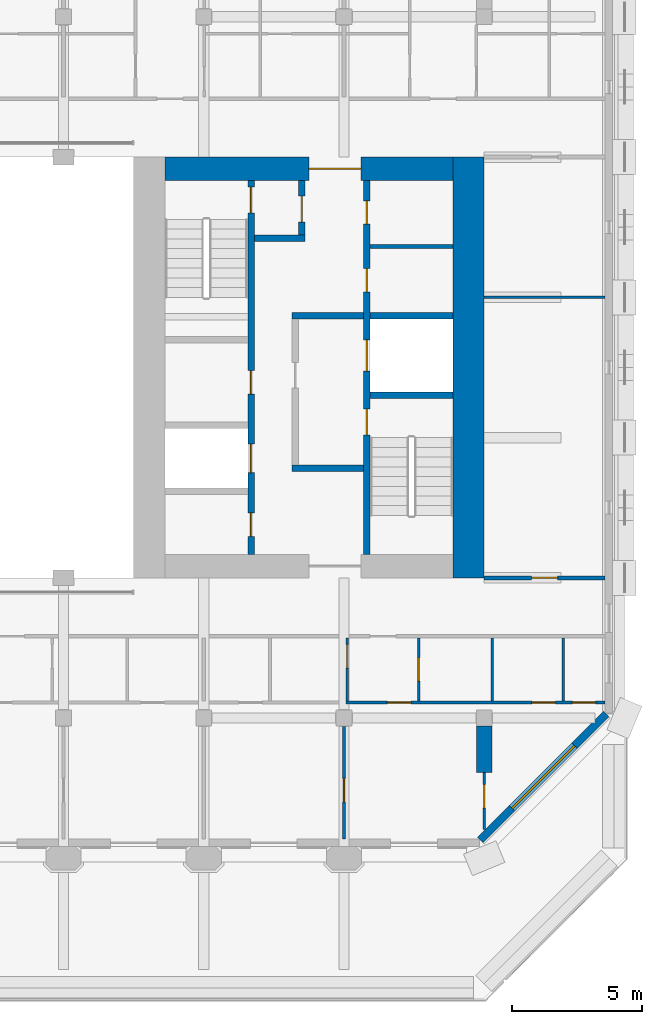
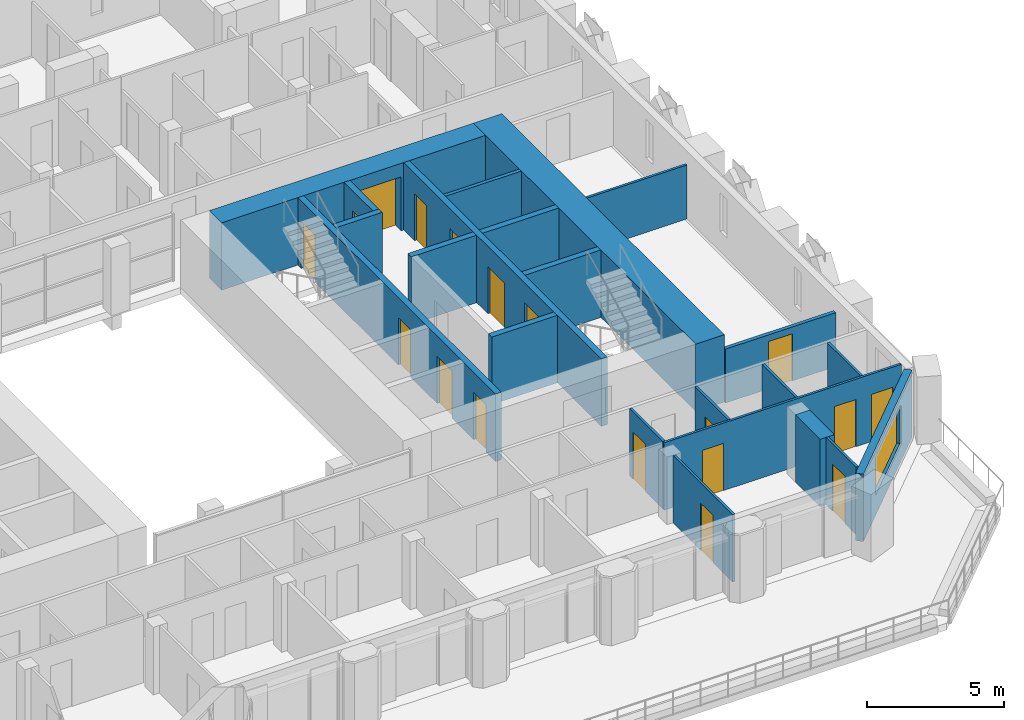
# One storey, part 10 of 17: 22 walls, 18 doors, 1 window, 19 openings.
"""IFC4 building model written with IfcOpenShell, lengths in metres."""

from ifc_helpers import new_model, si_unit, direction, frame, frame_2d, origin, place, context, subcontext, project, spatial, rectangle, extrude, material, layer, layer_set, type_object, element, fill, save


model = new_model("IFC4")

# Units and contexts
model_context = context("Model", 3, precision=1e-05, world=origin(), true_north=direction((0.0, 1.0)))
body_context = subcontext(model_context, "Body", "Model", "MODEL_VIEW")
ifc_project = project(units=[si_unit("LENGTHUNIT", "METRE"), si_unit("AREAUNIT", "SQUARE_METRE"), si_unit("VOLUMEUNIT", "CUBIC_METRE"), si_unit("PLANEANGLEUNIT", "RADIAN"), si_unit("MASSUNIT", "GRAM", prefix="KILO")], contexts=[model_context])

# Site, building, storey
site_placement = place(None, origin())
site = spatial("IfcSite", under=ifc_project, at=site_placement, CompositionType="ELEMENT")
building_placement = place(site_placement, origin())
building = spatial("IfcBuilding", under=site, at=building_placement, Name="Tabaq Tower and Sports Hall", CompositionType="ELEMENT")
storey_placement = place(building_placement, frame((0.0, 0.0, 288.39990234375)))
storey = spatial("IfcBuildingStorey", under=building, at=storey_placement, Name="L71", CompositionType="ELEMENT", Elevation=288.39990234375)

# Walls
ifc_material_1 = material(Name="Blockwork", Category="masonry")
ifc_layer_1 = layer(ifc_material_1, 0.14990234375)
ifc_layer_set_1 = layer_set([ifc_layer_1], Name="Core room partition 150 Blockwork")
wall_type_1 = type_object("IfcWallType", Name="Core room partition 150 Blockwork", PredefinedType="PARTITIONING", material=ifc_layer_set_1)
wall_1_placement = place(storey_placement, frame((38.800048828125, 28.962890625, 0.0), z_axis=(0.0, 0.0, 1.0), x_axis=(1.0, 0.0, 0.0)))
element("IfcWall", 1, at=wall_1_placement, inside=storey, type_object=wall_type_1, Name="Core room partition E L71", PredefinedType="PARTITIONING", context=body_context, shape_type="SweptSolid", body=[
    extrude(rectangle(XDim=3.199951171875, YDim=0.14990234375, at=frame_2d((1.60009765625, 0.0))), origin(), (0.0, 0.0, 1.0), 3.0),
])
ifc_material_2 = material(Name="Concrete C40/50", Category="concrete")
ifc_layer_2 = layer(ifc_material_2, 1.199951171875)
ifc_layer_set_2 = layer_set([ifc_layer_2], Name="Core wall 1200 Concrete C40/50")
wall_type_2 = type_object("IfcWallType", Name="Core wall 1200 Concrete C40/50", PredefinedType="SOLIDWALL", material=ifc_layer_set_2)
wall_2_placement = place(storey_placement, frame((42.60009765625, 32.39990234375, 0.0), z_axis=(0.0, 0.0, 1.0), x_axis=(0.0, -1.0, 0.0)))
element("IfcWall", 2, at=wall_2_placement, inside=storey, type_object=wall_type_2, Name="Core wall E L71", PredefinedType="SOLIDWALL", context=body_context, shape_type="SweptSolid", body=[
    extrude(rectangle(XDim=16.199951171875, YDim=1.199951171875, at=frame_2d((8.10009765625, 0.0))), origin(), (0.0, 0.0, 1.0), 3.0),
])

# Wall, opening, door
ifc_material_3 = material(Name="Concrete C40/50", Category="concrete")
ifc_layer_3 = layer(ifc_material_3, 0.89990234375)
ifc_layer_set_3 = layer_set([ifc_layer_3], Name="Core wall 900 Concrete C40/50")
wall_type_3 = type_object("IfcWallType", Name="Core wall 900 Concrete C40/50", PredefinedType="SOLIDWALL", material=ifc_layer_set_3)
wall_3_placement = place(storey_placement, frame((30.89990234375, 31.949951171875, 0.0), z_axis=(0.0, 0.0, 1.0), x_axis=(1.0, 0.0, 0.0)))
wall_3 = element("IfcWall", 3, at=wall_3_placement, inside=storey, type_object=wall_type_3, Name="Core wall E L71", PredefinedType="SOLIDWALL", context=body_context, shape_type="SweptSolid", body=[
    extrude(rectangle(XDim=11.10009765625, YDim=0.89990234375, at=frame_2d((5.550048828125, 0.0))), origin(), (0.0, 0.0, 1.0), 3.0),
])
opening_1_placement = place(wall_3_placement, frame((5.550048828125, 0.0, 0.0)))
opening_1 = element("IfcOpeningElement", 4, at=opening_1_placement, cuts=wall_3, Name="Opening PD-EL71-02", PredefinedType="OPENING", context=body_context, shape_type="SweptSolid", body=[
    extrude(rectangle(XDim=2.0, YDim=2.39990234375, at=frame_2d((1.0, 1.199951171875))), frame((0.0, 0.449951171875, 0.0), z_axis=(0.0, -1.0, 0.0), x_axis=(1.0, 0.0, 0.0)), (0.0, 0.0, 1.0), 0.89990234375),
])
ifc_material_4 = material(Name="Steel fire door", Category="steel")
door_type_1 = type_object("IfcDoorType", Name="Core entrance door 2000", OperationType="DOUBLE_DOOR_SINGLE_SWING", PredefinedType="DOOR", material=ifc_material_4)
door_1_placement = place(opening_1_placement, origin())
door_1 = element("IfcDoor", 5, at=door_1_placement, inside=storey, type_object=door_type_1, Name="Core entrance north E L71", OperationType="DOUBLE_DOOR_SINGLE_SWING", OverallHeight=2.39990234375, OverallWidth=2.0, PredefinedType="DOOR", context=body_context, shape_type="SweptSolid", body=[
    extrude(rectangle(XDim=2.0, YDim=2.39990234375, at=frame_2d((1.0, 1.199951171875))), frame((0.0, 0.02490234375, 0.0), z_axis=(0.0, -1.0, 0.0), x_axis=(1.0, 0.0, 0.0)), (0.0, 0.0, 1.0), 0.050048828125),
])
fill(opening_1, door_1)

# Wall
ifc_material_5 = material(Name="Gypsum board on steel studs", Category="steel")
ifc_layer_4 = layer(ifc_material_5, 0.10009765625)
ifc_layer_set_4 = layer_set([ifc_layer_4], Name="Partition 100 Gypsum board")
wall_type_4 = type_object("IfcWallType", Name="Partition 100 Gypsum board", PredefinedType="PARTITIONING", material=ifc_layer_set_4)
wall_4_placement = place(storey_placement, frame((43.199951171875, 27.0, 0.0), z_axis=(0.0, 0.0, 1.0), x_axis=(1.0, 0.0, 0.0)))
element("IfcWall", 6, at=wall_4_placement, inside=storey, type_object=wall_type_4, Name="Partition wall L71", PredefinedType="PARTITIONING", context=body_context, shape_type="SweptSolid", body=[
    extrude(rectangle(XDim=4.649169921875, YDim=0.10009765625, at=frame_2d((2.32470703125, 0.0))), origin(), (0.0, 0.0, 1.0), 2.400146484375),
])

# Wall, opening, door
wall_5_placement = place(storey_placement, frame((37.800048828125, 6.15087890625, 0.0), z_axis=(0.0, 0.0, 1.0), x_axis=(0.0, 1.0, 0.0)))
wall_5 = element("IfcWall", 7, at=wall_5_placement, inside=storey, type_object=wall_type_4, Name="Partition wall L71", PredefinedType="PARTITIONING", context=body_context, shape_type="SweptSolid", body=[
    extrude(rectangle(XDim=4.3291015625, YDim=0.10009765625, at=frame_2d((2.16455078125, 0.0))), origin(), (0.0, 0.0, 1.0), 3.0),
])
opening_2_placement = place(wall_5_placement, frame((1.424072265625, 0.0, 0.0)))
opening_2 = element("IfcOpeningElement", 8, at=opening_2_placement, cuts=wall_5, Name="Opening L71-051", PredefinedType="OPENING", context=body_context, shape_type="SweptSolid", body=[
    extrude(rectangle(XDim=0.89990234375, YDim=2.10009765625, at=frame_2d((0.449951171875, 1.050048828125))), frame((0.0, 0.050048828125, 0.0), z_axis=(0.0, -1.0, 0.0), x_axis=(1.0, 0.0, 0.0)), (0.0, 0.0, 1.0), 0.10009765625),
])
ifc_material_6 = material(Name="Timber leaf in steel frame", Category="steel")
door_type_2 = type_object("IfcDoorType", Name="Internal door 900 left hand", OperationType="SINGLE_SWING_LEFT", PredefinedType="DOOR", material=ifc_material_6)
door_2_placement = place(opening_2_placement, origin())
door_2 = element("IfcDoor", 9, at=door_2_placement, inside=storey, type_object=door_type_2, Name="Internal door L71-051", OperationType="SINGLE_SWING_LEFT", OverallHeight=2.10009765625, OverallWidth=0.89990234375, PredefinedType="DOOR", context=body_context, shape_type="SweptSolid", body=[
    extrude(rectangle(XDim=0.89990234375, YDim=2.10009765625, at=frame_2d((0.449951171875, 1.050048828125))), frame((0.0, 0.02490234375, 0.0), z_axis=(0.0, -1.0, 0.0), x_axis=(1.0, 0.0, 0.0)), (0.0, 0.0, 1.0), 0.050048828125),
])
fill(opening_2, door_2)

# Wall, openings, doors
wall_6_placement = place(storey_placement, frame((47.84912109375, 11.39990234375, 0.0), z_axis=(0.0, 0.0, 1.0), x_axis=(-1.0, 0.0, 0.0)))
wall_6 = element("IfcWall", 10, at=wall_6_placement, inside=storey, type_object=wall_type_4, Name="Partition wall L71", PredefinedType="PARTITIONING", context=body_context, shape_type="SweptSolid", body=[
    extrude(rectangle(XDim=9.97412109375, YDim=0.10009765625, at=frame_2d((4.987060546875, 0.0))), origin(), (0.0, 0.0, 1.0), 3.0),
])
opening_3_placement = place(wall_6_placement, frame((1.908935546875, 0.0, 0.0)))
opening_3 = element("IfcOpeningElement", 11, at=opening_3_placement, cuts=wall_6, Name="Opening L71-026", PredefinedType="OPENING", context=body_context, shape_type="SweptSolid", body=[
    extrude(rectangle(XDim=0.89990234375, YDim=2.10009765625, at=frame_2d((0.449951171875, 1.050048828125))), frame((0.0, 0.050048828125, 0.0), z_axis=(0.0, -1.0, 0.0), x_axis=(1.0, 0.0, 0.0)), (0.0, 0.0, 1.0), 0.10009765625),
])
opening_4_placement = place(wall_6_placement, frame((0.35400390625, 0.0, 0.0)))
opening_4 = element("IfcOpeningElement", 12, at=opening_4_placement, cuts=wall_6, Name="Opening L71-027", PredefinedType="OPENING", context=body_context, shape_type="SweptSolid", body=[
    extrude(rectangle(XDim=0.89990234375, YDim=2.10009765625, at=frame_2d((0.449951171875, 1.050048828125))), frame((0.0, 0.050048828125, 0.0), z_axis=(0.0, -1.0, 0.0), x_axis=(1.0, 0.0, 0.0)), (0.0, 0.0, 1.0), 0.10009765625),
])
opening_5_placement = place(wall_6_placement, frame((7.47412109375, 0.0, 0.0)))
opening_5 = element("IfcOpeningElement", 13, at=opening_5_placement, cuts=wall_6, Name="Opening L71-062", PredefinedType="OPENING", context=body_context, shape_type="SweptSolid", body=[
    extrude(rectangle(XDim=0.89990234375, YDim=2.10009765625, at=frame_2d((0.449951171875, 1.050048828125))), frame((0.0, 0.050048828125, 0.0), z_axis=(0.0, -1.0, 0.0), x_axis=(1.0, 0.0, 0.0)), (0.0, 0.0, 1.0), 0.10009765625),
])
door_3_placement = place(opening_3_placement, origin())
door_3 = element("IfcDoor", 14, at=door_3_placement, inside=storey, type_object=door_type_2, Name="Internal door L71-026", OperationType="SINGLE_SWING_LEFT", OverallHeight=2.10009765625, OverallWidth=0.89990234375, PredefinedType="DOOR", context=body_context, shape_type="SweptSolid", body=[
    extrude(rectangle(XDim=0.89990234375, YDim=2.10009765625, at=frame_2d((0.449951171875, 1.050048828125))), frame((0.0, 0.02490234375, 0.0), z_axis=(0.0, -1.0, 0.0), x_axis=(1.0, 0.0, 0.0)), (0.0, 0.0, 1.0), 0.050048828125),
])
fill(opening_3, door_3)
ifc_material_7 = material(Name="Timber leaf in steel frame", Category="steel")
door_type_3 = type_object("IfcDoorType", Name="Internal door 900 right hand", OperationType="SINGLE_SWING_RIGHT", PredefinedType="DOOR", material=ifc_material_7)
door_4_placement = place(opening_4_placement, origin())
door_4 = element("IfcDoor", 15, at=door_4_placement, inside=storey, type_object=door_type_3, Name="Internal door L71-027", OperationType="SINGLE_SWING_RIGHT", OverallHeight=2.10009765625, OverallWidth=0.89990234375, PredefinedType="DOOR", context=body_context, shape_type="SweptSolid", body=[
    extrude(rectangle(XDim=0.89990234375, YDim=2.10009765625, at=frame_2d((0.449951171875, 1.050048828125))), frame((0.0, 0.02490234375, 0.0), z_axis=(0.0, -1.0, 0.0), x_axis=(1.0, 0.0, 0.0)), (0.0, 0.0, 1.0), 0.050048828125),
])
fill(opening_4, door_4)
door_5_placement = place(opening_5_placement, origin())
door_5 = element("IfcDoor", 16, at=door_5_placement, inside=storey, type_object=door_type_3, Name="Internal door L71-062", OperationType="SINGLE_SWING_RIGHT", OverallHeight=2.10009765625, OverallWidth=0.89990234375, PredefinedType="DOOR", context=body_context, shape_type="SweptSolid", body=[
    extrude(rectangle(XDim=0.89990234375, YDim=2.10009765625, at=frame_2d((0.449951171875, 1.050048828125))), frame((0.0, 0.02490234375, 0.0), z_axis=(0.0, -1.0, 0.0), x_axis=(1.0, 0.0, 0.0)), (0.0, 0.0, 1.0), 0.050048828125),
])
fill(opening_5, door_5)

# Wall, opening, door
wall_7_placement = place(storey_placement, frame((43.199951171875, 6.51220703125, 0.0), z_axis=(0.0, 0.0, 1.0), x_axis=(0.0, 1.0, 0.0)))
wall_7 = element("IfcWall", 17, at=wall_7_placement, inside=storey, type_object=wall_type_4, Name="Partition wall L71", PredefinedType="PARTITIONING", context=body_context, shape_type="SweptSolid", body=[
    extrude(rectangle(XDim=2.187744140625, YDim=0.10009765625, at=frame_2d((1.09375, 0.0))), origin(), (0.0, 0.0, 1.0), 3.0),
])
opening_6_placement = place(wall_7_placement, frame((0.822021484375, 0.0, 0.0)))
opening_6 = element("IfcOpeningElement", 18, at=opening_6_placement, cuts=wall_7, Name="Opening L71-057", PredefinedType="OPENING", context=body_context, shape_type="SweptSolid", body=[
    extrude(rectangle(XDim=0.89990234375, YDim=2.10009765625, at=frame_2d((0.449951171875, 1.050048828125))), frame((0.0, 0.050048828125, 0.0), z_axis=(0.0, -1.0, 0.0), x_axis=(1.0, 0.0, 0.0)), (0.0, 0.0, 1.0), 0.10009765625),
])
door_6_placement = place(opening_6_placement, origin())
door_6 = element("IfcDoor", 19, at=door_6_placement, inside=storey, type_object=door_type_3, Name="Internal door L71-057", OperationType="SINGLE_SWING_RIGHT", OverallHeight=2.10009765625, OverallWidth=0.89990234375, PredefinedType="DOOR", context=body_context, shape_type="SweptSolid", body=[
    extrude(rectangle(XDim=0.89990234375, YDim=2.10009765625, at=frame_2d((0.449951171875, 1.050048828125))), frame((0.0, 0.02490234375, 0.0), z_axis=(0.0, -1.0, 0.0), x_axis=(1.0, 0.0, 0.0)), (0.0, 0.0, 1.0), 0.050048828125),
])
fill(opening_6, door_6)

wall_8_placement = place(storey_placement, frame((37.925048828125, 11.449951171875, 0.0), z_axis=(0.0, 0.0, 1.0), x_axis=(0.0, 1.0, 0.0)))
wall_8 = element("IfcWall", 20, at=wall_8_placement, inside=storey, type_object=wall_type_4, Name="Partition wall L71", PredefinedType="PARTITIONING", context=body_context, shape_type="SweptSolid", body=[
    extrude(rectangle(XDim=2.425048828125, YDim=0.10009765625, at=frame_2d((1.21240234375, 0.0))), origin(), (0.0, 0.0, 1.0), 3.0),
])
opening_7_placement = place(wall_8_placement, frame((1.27490234375, 0.0, 0.0)))
opening_7 = element("IfcOpeningElement", 21, at=opening_7_placement, cuts=wall_8, Name="Opening L71-028", PredefinedType="OPENING", context=body_context, shape_type="SweptSolid", body=[
    extrude(rectangle(XDim=0.89990234375, YDim=2.10009765625, at=frame_2d((0.449951171875, 1.050048828125))), frame((0.0, 0.050048828125, 0.0), z_axis=(0.0, -1.0, 0.0), x_axis=(1.0, 0.0, 0.0)), (0.0, 0.0, 1.0), 0.10009765625),
])
door_7_placement = place(opening_7_placement, origin())
door_7 = element("IfcDoor", 22, at=door_7_placement, inside=storey, type_object=door_type_3, Name="Internal door L71-028", OperationType="SINGLE_SWING_RIGHT", OverallHeight=2.10009765625, OverallWidth=0.89990234375, PredefinedType="DOOR", context=body_context, shape_type="SweptSolid", body=[
    extrude(rectangle(XDim=0.89990234375, YDim=2.10009765625, at=frame_2d((0.449951171875, 1.050048828125))), frame((0.0, 0.02490234375, 0.0), z_axis=(0.0, -1.0, 0.0), x_axis=(1.0, 0.0, 0.0)), (0.0, 0.0, 1.0), 0.050048828125),
])
fill(opening_7, door_7)

wall_9_placement = place(storey_placement, frame((40.675048828125, 11.449951171875, 0.0), z_axis=(0.0, 0.0, 1.0), x_axis=(0.0, 1.0, 0.0)))
wall_9 = element("IfcWall", 23, at=wall_9_placement, inside=storey, type_object=wall_type_4, Name="Partition wall L71", PredefinedType="PARTITIONING", context=body_context, shape_type="SweptSolid", body=[
    extrude(rectangle(XDim=2.425048828125, YDim=0.10009765625, at=frame_2d((1.21240234375, 0.0))), origin(), (0.0, 0.0, 1.0), 3.0),
])
opening_8_placement = place(wall_9_placement, frame((0.77490234375, 0.0, 0.0)))
opening_8 = element("IfcOpeningElement", 24, at=opening_8_placement, cuts=wall_9, Name="Opening L71-029", PredefinedType="OPENING", context=body_context, shape_type="SweptSolid", body=[
    extrude(rectangle(XDim=0.89990234375, YDim=2.10009765625, at=frame_2d((0.449951171875, 1.050048828125))), frame((0.0, 0.050048828125, 0.0), z_axis=(0.0, -1.0, 0.0), x_axis=(1.0, 0.0, 0.0)), (0.0, 0.0, 1.0), 0.10009765625),
])
door_8_placement = place(opening_8_placement, origin())
door_8 = element("IfcDoor", 25, at=door_8_placement, inside=storey, type_object=door_type_2, Name="Internal door L71-029", OperationType="SINGLE_SWING_LEFT", OverallHeight=2.10009765625, OverallWidth=0.89990234375, PredefinedType="DOOR", context=body_context, shape_type="SweptSolid", body=[
    extrude(rectangle(XDim=0.89990234375, YDim=2.10009765625, at=frame_2d((0.449951171875, 1.050048828125))), frame((0.0, 0.02490234375, 0.0), z_axis=(0.0, -1.0, 0.0), x_axis=(1.0, 0.0, 0.0)), (0.0, 0.0, 1.0), 0.050048828125),
])
fill(opening_8, door_8)

# Walls
for number, where, z_axis, x_axis, name in (
    (26, (43.5048828125, 11.449951171875, 0.0), (0.0, 0.0, 1.0), (0.0, 1.0, 0.0), "Partition wall L71"),
    (27, (46.239990234375, 11.449951171875, 0.0), (0.0, 0.0, 1.0), (0.0, 1.0, 0.0), "Partition wall L71"),
):
    element("IfcWall", number, at=place(storey_placement, frame(where, z_axis=z_axis, x_axis=x_axis)), inside=storey, type_object=wall_type_4, Name=name, PredefinedType="PARTITIONING", context=body_context, shape_type="SweptSolid", body=[
        extrude(rectangle(XDim=2.425048828125, YDim=0.10009765625, at=frame_2d((1.21240234375, 0.0))), origin(), (0.0, 0.0, 1.0), 3.0),
    ])
ifc_material_8 = material(Name="Concrete C40/50", Category="concrete")
ifc_layer_5 = layer(ifc_material_8, 0.60009765625)
ifc_layer_set_5 = layer_set([ifc_layer_5], Name="RC TRANSFER WALL 600 C40/50")
wall_type_5 = type_object("IfcWallType", Name="RC TRANSFER WALL 600 C40/50", PredefinedType="SHEAR", material=ifc_layer_set_5)
wall_10_placement = place(storey_placement, frame((43.199951171875, 8.699951171875, 0.0), z_axis=(0.0, 0.0, 1.0), x_axis=(0.0, 1.0, 0.0)))
element("IfcWall", 28, at=wall_10_placement, inside=storey, type_object=wall_type_5, Name="Transfer Wall L71 East 2", PredefinedType="SHEAR", context=body_context, shape_type="SweptSolid", body=[
    extrude(rectangle(XDim=1.800048828125, YDim=0.60009765625, at=frame_2d((0.89990234375, 0.0))), origin(), (0.0, 0.0, 1.0), 3.0),
])

# Wall, opening, door
ifc_material_9 = material(Name="Blockwork", Category="masonry")
ifc_layer_6 = layer(ifc_material_9, 0.14990234375)
ifc_layer_set_6 = layer_set([ifc_layer_6], Name="Separating wall 150 Blockwork")
wall_type_6 = type_object("IfcWallType", Name="Separating wall 150 Blockwork", PredefinedType="PARTITIONING", material=ifc_layer_set_6)
wall_11_placement = place(storey_placement, frame((43.199951171875, 16.199951171875, 0.0), z_axis=(0.0, 0.0, 1.0), x_axis=(1.0, 0.0, 0.0)))
wall_11 = element("IfcWall", 29, at=wall_11_placement, inside=storey, type_object=wall_type_6, Name="Separating wall L71", PredefinedType="PARTITIONING", context=body_context, shape_type="SweptSolid", body=[
    extrude(rectangle(XDim=4.649169921875, YDim=0.14990234375, at=frame_2d((2.32470703125, 0.0))), origin(), (0.0, 0.0, 1.0), 2.400146484375),
])
opening_9_placement = place(wall_11_placement, frame((1.824951171875, 0.0, 0.0)))
opening_9 = element("IfcOpeningElement", 30, at=opening_9_placement, cuts=wall_11, Name="Opening L71-030", PredefinedType="OPENING", context=body_context, shape_type="SweptSolid", body=[
    extrude(rectangle(XDim=1.0, YDim=2.10009765625, at=frame_2d((0.5, 1.050048828125))), frame((0.0, 0.074951171875, 0.0), z_axis=(0.0, -1.0, 0.0), x_axis=(1.0, 0.0, 0.0)), (0.0, 0.0, 1.0), 0.14990234375),
])
ifc_material_10 = material(Name="Timber leaf in steel frame", Category="steel")
door_type_4 = type_object("IfcDoorType", Name="Internal door 1000 left hand", OperationType="SINGLE_SWING_LEFT", PredefinedType="DOOR", material=ifc_material_10)
door_9_placement = place(opening_9_placement, origin())
door_9 = element("IfcDoor", 31, at=door_9_placement, inside=storey, type_object=door_type_4, Name="Internal door L71-030", OperationType="SINGLE_SWING_LEFT", OverallHeight=2.10009765625, OverallWidth=1.0, PredefinedType="DOOR", context=body_context, shape_type="SweptSolid", body=[
    extrude(rectangle(XDim=1.0, YDim=2.10009765625, at=frame_2d((0.5, 1.050048828125))), frame((0.0, 0.02490234375, 0.0), z_axis=(0.0, -1.0, 0.0), x_axis=(1.0, 0.0, 0.0)), (0.0, 0.0, 1.0), 0.050048828125),
])
fill(opening_9, door_9)

# Wall, openings, doors
ifc_material_11 = material(Name="Concrete C40/50", Category="concrete")
ifc_layer_7 = layer(ifc_material_11, 0.25)
ifc_layer_set_7 = layer_set([ifc_layer_7], Name="Shaft and stair wall 250 Concrete C40/50")
wall_type_7 = type_object("IfcWallType", Name="Shaft and stair wall 250 Concrete C40/50", PredefinedType="SOLIDWALL", material=ifc_layer_set_7)
wall_12_placement = place(storey_placement, frame((38.675048828125, 17.10009765625, 0.0), z_axis=(0.0, 0.0, 1.0), x_axis=(0.0, 1.0, 0.0)))
wall_12 = element("IfcWall", 32, at=wall_12_placement, inside=storey, type_object=wall_type_7, Name="Shaft wall E L71", PredefinedType="SOLIDWALL", context=body_context, shape_type="SweptSolid", body=[
    extrude(rectangle(XDim=14.39990234375, YDim=0.25, at=frame_2d((7.199951171875, 0.0))), origin(), (0.0, 0.0, 1.0), 3.0),
])
opening_10_placement = place(wall_12_placement, frame((4.60009765625, 0.0, 0.0)))
opening_10 = element("IfcOpeningElement", 33, at=opening_10_placement, cuts=wall_12, Name="Opening SD-EL71-03", PredefinedType="OPENING", context=body_context, shape_type="SweptSolid", body=[
    extrude(rectangle(XDim=1.0, YDim=2.10009765625, at=frame_2d((0.5, 1.050048828125))), frame((0.0, 0.125, 0.0), z_axis=(0.0, -1.0, 0.0), x_axis=(1.0, 0.0, 0.0)), (0.0, 0.0, 1.0), 0.25),
])
opening_11_placement = place(wall_12_placement, frame((7.0625, 0.0, 0.0)))
opening_11 = element("IfcOpeningElement", 34, at=opening_11_placement, cuts=wall_12, Name="Opening LD-FF2-L71", PredefinedType="OPENING", context=body_context, shape_type="SweptSolid", body=[
    extrude(rectangle(XDim=1.199951171875, YDim=2.10009765625, at=frame_2d((0.60009765625, 1.050048828125))), frame((0.0, 0.125, 0.0), z_axis=(0.0, -1.0, 0.0), x_axis=(1.0, 0.0, 0.0)), (0.0, 0.0, 1.0), 0.25),
])
opening_12_placement = place(wall_12_placement, frame((10.1064453125, 0.0, 0.0)))
opening_12 = element("IfcOpeningElement", 35, at=opening_12_placement, cuts=wall_12, Name="Opening RD-EL71-09", PredefinedType="OPENING", context=body_context, shape_type="SweptSolid", body=[
    extrude(rectangle(XDim=0.89990234375, YDim=2.10009765625, at=frame_2d((0.449951171875, 1.050048828125))), frame((0.0, 0.125, 0.0), z_axis=(0.0, -1.0, 0.0), x_axis=(1.0, 0.0, 0.0)), (0.0, 0.0, 1.0), 0.25),
])
opening_13_placement = place(wall_12_placement, frame((12.718994140625, 0.0, 0.0)))
opening_13 = element("IfcOpeningElement", 36, at=opening_13_placement, cuts=wall_12, Name="Opening RD-EL71-10", PredefinedType="OPENING", context=body_context, shape_type="SweptSolid", body=[
    extrude(rectangle(XDim=0.89990234375, YDim=2.10009765625, at=frame_2d((0.449951171875, 1.050048828125))), frame((0.0, 0.125, 0.0), z_axis=(0.0, -1.0, 0.0), x_axis=(1.0, 0.0, 0.0)), (0.0, 0.0, 1.0), 0.25),
])
ifc_material_12 = material(Name="Steel fire door", Category="steel")
door_type_5 = type_object("IfcDoorType", Name="Core room door 900", OperationType="SINGLE_SWING_LEFT", PredefinedType="DOOR", material=ifc_material_12)
door_10_placement = place(opening_12_placement, origin())
door_10 = element("IfcDoor", 37, at=door_10_placement, inside=storey, type_object=door_type_5, Name="Door Electrical Room E L71", OperationType="SINGLE_SWING_LEFT", OverallHeight=2.10009765625, OverallWidth=0.89990234375, PredefinedType="DOOR", context=body_context, shape_type="SweptSolid", body=[
    extrude(rectangle(XDim=0.89990234375, YDim=2.10009765625, at=frame_2d((0.449951171875, 1.050048828125))), frame((0.0, 0.02490234375, 0.0), z_axis=(0.0, -1.0, 0.0), x_axis=(1.0, 0.0, 0.0)), (0.0, 0.0, 1.0), 0.050048828125),
])
fill(opening_12, door_10)
door_11_placement = place(opening_13_placement, origin())
door_11 = element("IfcDoor", 38, at=door_11_placement, inside=storey, type_object=door_type_5, Name="Door Comms Room E L71", OperationType="SINGLE_SWING_LEFT", OverallHeight=2.10009765625, OverallWidth=0.89990234375, PredefinedType="DOOR", context=body_context, shape_type="SweptSolid", body=[
    extrude(rectangle(XDim=0.89990234375, YDim=2.10009765625, at=frame_2d((0.449951171875, 1.050048828125))), frame((0.0, 0.02490234375, 0.0), z_axis=(0.0, -1.0, 0.0), x_axis=(1.0, 0.0, 0.0)), (0.0, 0.0, 1.0), 0.050048828125),
])
fill(opening_13, door_11)
ifc_material_13 = material(Name="Stainless steel", Category="steel")
door_type_6 = type_object("IfcDoorType", Name="Lift landing door 1200", OperationType="DOUBLE_DOOR_SLIDING", PredefinedType="DOOR", material=ifc_material_13)
door_12_placement = place(opening_11_placement, origin())
door_12 = element("IfcDoor", 39, at=door_12_placement, inside=storey, type_object=door_type_6, Name="Lift landing door FF2 E L71", OperationType="DOUBLE_DOOR_SLIDING", OverallHeight=2.10009765625, OverallWidth=1.199951171875, PredefinedType="DOOR", context=body_context, shape_type="SweptSolid", body=[
    extrude(rectangle(XDim=1.199951171875, YDim=2.10009765625, at=frame_2d((0.60009765625, 1.050048828125))), frame((0.0, 0.02490234375, 0.0), z_axis=(0.0, -1.0, 0.0), x_axis=(1.0, 0.0, 0.0)), (0.0, 0.0, 1.0), 0.050048828125),
])
fill(opening_11, door_12)
ifc_material_14 = material(Name="Steel fire door", Category="steel")
door_type_7 = type_object("IfcDoorType", Name="Stair door 1000", OperationType="SINGLE_SWING_LEFT", PredefinedType="DOOR", material=ifc_material_14)
door_13_placement = place(opening_10_placement, origin())
door_13 = element("IfcDoor", 40, at=door_13_placement, inside=storey, type_object=door_type_7, Name="Stair door ST3 E L71", OperationType="SINGLE_SWING_LEFT", OverallHeight=2.10009765625, OverallWidth=1.0, PredefinedType="DOOR", context=body_context, shape_type="SweptSolid", body=[
    extrude(rectangle(XDim=1.0, YDim=2.10009765625, at=frame_2d((0.5, 1.050048828125))), frame((0.0, 0.02490234375, 0.0), z_axis=(0.0, -1.0, 0.0), x_axis=(1.0, 0.0, 0.0)), (0.0, 0.0, 1.0), 0.050048828125),
])
fill(opening_10, door_13)

wall_13_placement = place(storey_placement, frame((34.22509765625, 17.10009765625, 0.0), z_axis=(0.0, 0.0, 1.0), x_axis=(0.0, 1.0, 0.0)))
wall_13 = element("IfcWall", 41, at=wall_13_placement, inside=storey, type_object=wall_type_7, Name="Shaft wall E L71", PredefinedType="SOLIDWALL", context=body_context, shape_type="SweptSolid", body=[
    extrude(rectangle(XDim=14.39990234375, YDim=0.25, at=frame_2d((7.199951171875, 0.0))), origin(), (0.0, 0.0, 1.0), 3.0),
])
opening_14_placement = place(wall_13_placement, frame((13.14990234375, 0.0, 0.0)))
opening_14 = element("IfcOpeningElement", 42, at=opening_14_placement, cuts=wall_13, Name="Opening SD-EL71-05", PredefinedType="OPENING", context=body_context, shape_type="SweptSolid", body=[
    extrude(rectangle(XDim=1.0, YDim=2.10009765625, at=frame_2d((0.5, 1.050048828125))), frame((0.0, 0.125, 0.0), z_axis=(0.0, -1.0, 0.0), x_axis=(1.0, 0.0, 0.0)), (0.0, 0.0, 1.0), 0.25),
])
opening_15_placement = place(wall_13_placement, frame((3.14990234375, 0.0, 0.0)))
opening_15 = element("IfcOpeningElement", 43, at=opening_15_placement, cuts=wall_13, Name="Opening LD-HR2-L71", PredefinedType="OPENING", context=body_context, shape_type="SweptSolid", body=[
    extrude(rectangle(XDim=1.10009765625, YDim=2.10009765625, at=frame_2d((0.550048828125, 1.050048828125))), frame((0.0, 0.125, 0.0), z_axis=(0.0, -1.0, 0.0), x_axis=(1.0, 0.0, 0.0)), (0.0, 0.0, 1.0), 0.25),
])
opening_16_placement = place(wall_13_placement, frame((0.699951171875, 0.0, 0.0)))
opening_16 = element("IfcOpeningElement", 44, at=opening_16_placement, cuts=wall_13, Name="Opening RD-EL71-11", PredefinedType="OPENING", context=body_context, shape_type="SweptSolid", body=[
    extrude(rectangle(XDim=0.89990234375, YDim=2.10009765625, at=frame_2d((0.449951171875, 1.050048828125))), frame((0.0, 0.125, 0.0), z_axis=(0.0, -1.0, 0.0), x_axis=(1.0, 0.0, 0.0)), (0.0, 0.0, 1.0), 0.25),
])
opening_17_placement = place(wall_13_placement, frame((6.175048828125, 0.0, 0.0)))
opening_17 = element("IfcOpeningElement", 45, at=opening_17_placement, cuts=wall_13, Name="Opening RD-EL71-12", PredefinedType="OPENING", context=body_context, shape_type="SweptSolid", body=[
    extrude(rectangle(XDim=0.89990234375, YDim=2.10009765625, at=frame_2d((0.449951171875, 1.050048828125))), frame((0.0, 0.125, 0.0), z_axis=(0.0, -1.0, 0.0), x_axis=(1.0, 0.0, 0.0)), (0.0, 0.0, 1.0), 0.25),
])
door_14_placement = place(opening_16_placement, origin())
door_14 = element("IfcDoor", 46, at=door_14_placement, inside=storey, type_object=door_type_5, Name="Door Electrical Riser Room E L71", OperationType="SINGLE_SWING_LEFT", OverallHeight=2.10009765625, OverallWidth=0.89990234375, PredefinedType="DOOR", context=body_context, shape_type="SweptSolid", body=[
    extrude(rectangle(XDim=0.89990234375, YDim=2.10009765625, at=frame_2d((0.449951171875, 1.050048828125))), frame((0.0, 0.02490234375, 0.0), z_axis=(0.0, -1.0, 0.0), x_axis=(1.0, 0.0, 0.0)), (0.0, 0.0, 1.0), 0.050048828125),
])
fill(opening_16, door_14)
door_15_placement = place(opening_17_placement, origin())
door_15 = element("IfcDoor", 47, at=door_15_placement, inside=storey, type_object=door_type_5, Name="Door Riser Room E L71", OperationType="SINGLE_SWING_LEFT", OverallHeight=2.10009765625, OverallWidth=0.89990234375, PredefinedType="DOOR", context=body_context, shape_type="SweptSolid", body=[
    extrude(rectangle(XDim=0.89990234375, YDim=2.10009765625, at=frame_2d((0.449951171875, 1.050048828125))), frame((0.0, 0.02490234375, 0.0), z_axis=(0.0, -1.0, 0.0), x_axis=(1.0, 0.0, 0.0)), (0.0, 0.0, 1.0), 0.050048828125),
])
fill(opening_17, door_15)
ifc_material_15 = material(Name="Stainless steel", Category="steel")
door_type_8 = type_object("IfcDoorType", Name="Lift landing door 1100", OperationType="DOUBLE_DOOR_SLIDING", PredefinedType="DOOR", material=ifc_material_15)
door_16_placement = place(opening_15_placement, origin())
door_16 = element("IfcDoor", 48, at=door_16_placement, inside=storey, type_object=door_type_8, Name="Lift landing door HR2 E L71", OperationType="DOUBLE_DOOR_SLIDING", OverallHeight=2.10009765625, OverallWidth=1.10009765625, PredefinedType="DOOR", context=body_context, shape_type="SweptSolid", body=[
    extrude(rectangle(XDim=1.10009765625, YDim=2.10009765625, at=frame_2d((0.550048828125, 1.050048828125))), frame((0.0, 0.02490234375, 0.0), z_axis=(0.0, -1.0, 0.0), x_axis=(1.0, 0.0, 0.0)), (0.0, 0.0, 1.0), 0.050048828125),
])
fill(opening_15, door_16)
door_17_placement = place(opening_14_placement, origin())
door_17 = element("IfcDoor", 49, at=door_17_placement, inside=storey, type_object=door_type_7, Name="Stair door ST4 E L71", OperationType="SINGLE_SWING_LEFT", OverallHeight=2.10009765625, OverallWidth=1.0, PredefinedType="DOOR", context=body_context, shape_type="SweptSolid", body=[
    extrude(rectangle(XDim=1.0, YDim=2.10009765625, at=frame_2d((0.5, 1.050048828125))), frame((0.0, 0.02490234375, 0.0), z_axis=(0.0, -1.0, 0.0), x_axis=(1.0, 0.0, 0.0)), (0.0, 0.0, 1.0), 0.050048828125),
])
fill(opening_14, door_17)

# Walls
for number, where, z_axis, x_axis, name in (
    (50, (38.800048828125, 23.22509765625, 0.0), (0.0, 0.0, 1.0), (1.0, 0.0, 0.0), "Stair enclosure wall E L71"),
    (51, (38.800048828125, 26.300048828125, 0.0), (0.0, 0.0, 1.0), (1.0, 0.0, 0.0), "Shaft wall E L71"),
):
    element("IfcWall", number, at=place(storey_placement, frame(where, z_axis=z_axis, x_axis=x_axis)), inside=storey, type_object=wall_type_7, Name=name, PredefinedType="SOLIDWALL", context=body_context, shape_type="SweptSolid", body=[
        extrude(rectangle(XDim=3.199951171875, YDim=0.25, at=frame_2d((1.60009765625, 0.0))), origin(), (0.0, 0.0, 1.0), 3.0),
    ])
for number, where, z_axis, x_axis, name in (
    (52, (35.800048828125, 26.300048828125, 0.0), (0.0, 0.0, 1.0), (1.0, 0.0, 0.0), "Fire-fighting lobby wall E L71"),
    (53, (35.800048828125, 20.425048828125, 0.0), (0.0, 0.0, 1.0), (1.0, 0.0, 0.0), "Fire-fighting lobby wall E L71"),
):
    element("IfcWall", number, at=place(storey_placement, frame(where, z_axis=z_axis, x_axis=x_axis)), inside=storey, type_object=wall_type_7, Name=name, PredefinedType="SOLIDWALL", context=body_context, shape_type="SweptSolid", body=[
        extrude(rectangle(XDim=2.75, YDim=0.25, at=frame_2d((1.375, 0.0))), origin(), (0.0, 0.0, 1.0), 3.0),
    ])

# Wall, opening, door
wall_14_placement = place(storey_placement, frame((36.175048828125, 29.39990234375, 0.0), z_axis=(0.0, 0.0, 1.0), x_axis=(0.0, 1.0, 0.0)))
wall_14 = element("IfcWall", 54, at=wall_14_placement, inside=storey, type_object=wall_type_7, Name="Fire-fighting lobby wall E L71", PredefinedType="SOLIDWALL", context=body_context, shape_type="SweptSolid", body=[
    extrude(rectangle(XDim=2.10009765625, YDim=0.25, at=frame_2d((1.050048828125, 0.0))), origin(), (0.0, 0.0, 1.0), 3.0),
])
opening_18_placement = place(wall_14_placement, frame((0.5, 0.0, 0.0)))
opening_18 = element("IfcOpeningElement", 55, at=opening_18_placement, cuts=wall_14, Name="Opening FD-EL71-06", PredefinedType="OPENING", context=body_context, shape_type="SweptSolid", body=[
    extrude(rectangle(XDim=1.0, YDim=2.10009765625, at=frame_2d((0.5, 1.050048828125))), frame((0.0, 0.125, 0.0), z_axis=(0.0, -1.0, 0.0), x_axis=(1.0, 0.0, 0.0)), (0.0, 0.0, 1.0), 0.25),
])
ifc_material_16 = material(Name="Steel fire door", Category="steel")
door_type_9 = type_object("IfcDoorType", Name="Fire-fighting lobby door 1000", OperationType="SINGLE_SWING_LEFT", PredefinedType="DOOR", material=ifc_material_16)
door_18_placement = place(opening_18_placement, origin())
door_18 = element("IfcDoor", 56, at=door_18_placement, inside=storey, type_object=door_type_9, Name="Stair lobby door E L71", OperationType="SINGLE_SWING_LEFT", OverallHeight=2.10009765625, OverallWidth=1.0, PredefinedType="DOOR", context=body_context, shape_type="SweptSolid", body=[
    extrude(rectangle(XDim=1.0, YDim=2.10009765625, at=frame_2d((0.5, 1.050048828125))), frame((0.0, 0.02490234375, 0.0), z_axis=(0.0, -1.0, 0.0), x_axis=(1.0, 0.0, 0.0)), (0.0, 0.0, 1.0), 0.050048828125),
])
fill(opening_18, door_18)

# Wall
wall_15_placement = place(storey_placement, frame((34.35009765625, 29.27490234375, 0.0), z_axis=(0.0, 0.0, 1.0), x_axis=(1.0, 0.0, 0.0)))
element("IfcWall", 57, at=wall_15_placement, inside=storey, type_object=wall_type_7, Name="Fire-fighting lobby wall E L71", PredefinedType="SOLIDWALL", context=body_context, shape_type="SweptSolid", body=[
    extrude(rectangle(XDim=1.949951171875, YDim=0.25, at=frame_2d((0.97509765625, 0.0))), origin(), (0.0, 0.0, 1.0), 3.0),
])

# Wall, opening, window
ifc_material_17 = material(Name="White precast concrete C60/75", Category="concrete")
ifc_layer_8 = layer(ifc_material_17, 0.300048828125)
ifc_layer_set_8 = layer_set([ifc_layer_8], Name="White precast concrete C60/75 external wall 300")
wall_type_8 = type_object("IfcWallType", Name="White precast concrete C60/75 external wall 300", PredefinedType="SOLIDWALL", material=ifc_layer_set_8)
wall_16_placement = place(storey_placement, frame((43.050537109375, 6.098876953125, 0.0), z_axis=(0.0, 0.0, 1.0), x_axis=(0.707106781187, 0.707106781187, 0.0)))
wall_16 = element("IfcWall", 58, at=wall_16_placement, inside=storey, type_object=wall_type_8, Name="External Wall L71 SE", PredefinedType="SOLIDWALL", context=body_context, shape_type="SweptSolid", body=[
    extrude(rectangle(XDim=6.85986328125, YDim=0.300048828125, at=frame_2d((3.429931640625, 0.0))), origin(), (0.0, 0.0, 1.0), 3.0),
])
opening_19_placement = place(wall_16_placement, frame((1.729736328125, 0.0, 0.89990234375)))
opening_19 = element("IfcOpeningElement", 59, at=opening_19_placement, cuts=wall_16, Name="Opening W1A", PredefinedType="OPENING", context=body_context, shape_type="SweptSolid", body=[
    extrude(rectangle(XDim=3.39990234375, YDim=1.699951171875, at=frame_2d((1.699951171875, 0.85009765625))), frame((0.0, 0.16015625, 0.0), z_axis=(0.0, -1.0, 0.0), x_axis=(1.0, 0.0, 0.0)), (0.0, 0.0, 1.0), 0.320068359375),
])
ifc_material_18 = material(Name="Aluminium framed clear glazing", Category="aluminium")
window_type = type_object("IfcWindowType", Name="Window W1A", PartitioningType="SINGLE_PANEL", PredefinedType="WINDOW", material=ifc_material_18)
window_placement = place(opening_19_placement, origin())
window = element("IfcWindow", 60, at=window_placement, inside=storey, type_object=window_type, Name="Window W1A L71", OverallHeight=1.699951171875, OverallWidth=3.39990234375, PartitioningType="SINGLE_PANEL", PredefinedType="WINDOW", context=body_context, shape_type="SweptSolid", body=[
    extrude(rectangle(XDim=3.39990234375, YDim=1.699951171875, at=frame_2d((1.699951171875, 0.85009765625))), frame((0.0, 0.030029296875, 0.0), z_axis=(0.0, -1.0, 0.0), x_axis=(1.0, 0.0, 0.0)), (0.0, 0.0, 1.0), 0.06005859375),
])
fill(opening_19, window)

save(model, "model.ifc")
